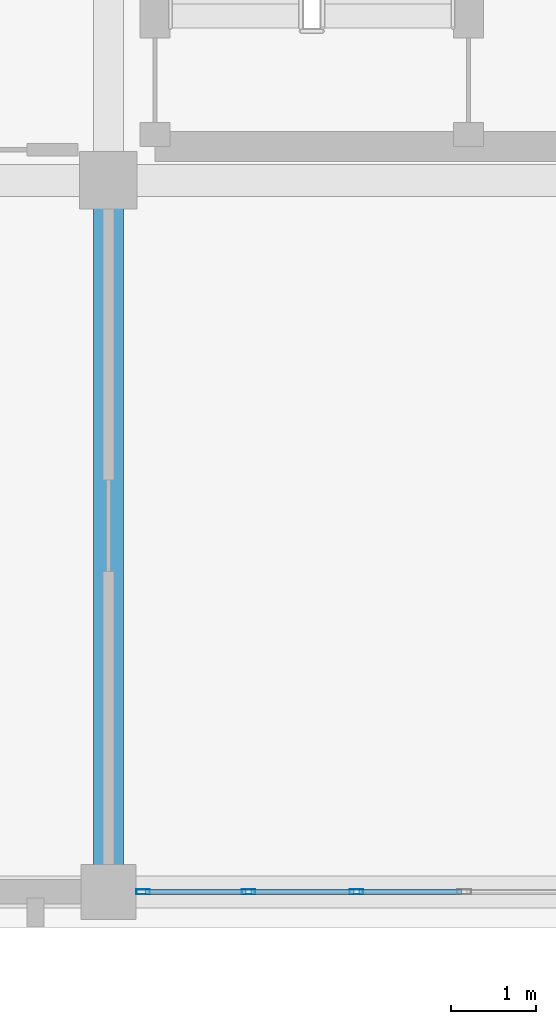
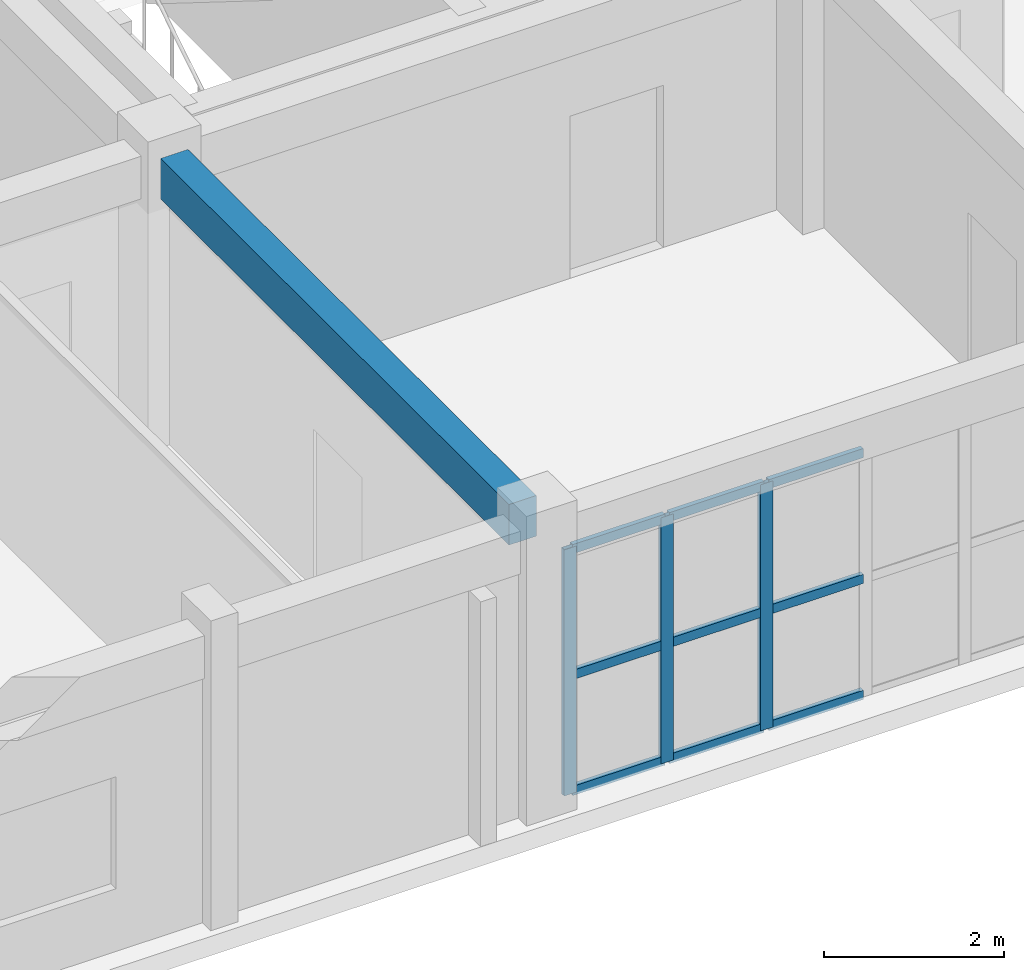
# One storey, part 21 of 90: 12 members, 1 beam, 1 element without a shape of its own.
"""IFC4 building model written with IfcOpenShell, lengths in metres."""

import ifcopenshell
import ifcopenshell.guid

model = None  # the IFC model being written
_history = None  # IfcOwnerHistory: only IFC2X3 demands one
_inside = {}  # id of a spatial element -> (the spatial element, [elements in it])
_under = {}  # id of a project, library or spatial element -> (it, [spatial elements below it])
_declared = {}  # id of a project -> (the project, [libraries it declares])
_typed = {}  # id of a type object -> (the type object, [elements of that type])
_made_of = {}  # id of a material, layer set ... -> (it, [elements and type objects made of it])


def new_model(schema):
    """Start an empty IFC model of exactly this schema.

    Asked for "IFC4X3", IfcOpenShell would pick the latest addendum, in which some entities
    have other attributes; the version numbers below select the first issue.
    IFC2X3 requires an IfcOwnerHistory on every rooted entity: one is made here for all.
    """
    global model, _history
    if schema == "IFC4X3":
        model = ifcopenshell.file(schema_version=(4, 3, 0, 0))
    else:
        model = ifcopenshell.file(schema=schema)
    _inside.clear()
    _under.clear()
    _declared.clear()
    _typed.clear()
    _made_of.clear()
    _history = None
    if model.schema == "IFC2X3":
        org = make("IfcOrganization", Name="unknown")
        user = make(
            "IfcPersonAndOrganization",
            ThePerson=make("IfcPerson", FamilyName="unknown"),
            TheOrganization=org,
        )
        app = make(
            "IfcApplication",
            ApplicationDeveloper=org,
            Version="unknown",
            ApplicationFullName="unknown",
            ApplicationIdentifier="unknown",
        )
        _history = make(
            "IfcOwnerHistory",
            OwningUser=user,
            OwningApplication=app,
            ChangeAction="ADDED",
            CreationDate=0,
        )
    return model


def make(cls, **values):
    """One entity of the class cls with the attributes given. An attribute that is None is left unset."""
    return model.create_entity(
        cls, **{name: value for name, value in values.items() if value is not None}
    )


def rooted(cls, **values):
    """An entity with a GlobalId (a new one), such as an element, a storey or a relation."""
    return make(cls, GlobalId=ifcopenshell.guid.new(), OwnerHistory=_history, **values)


def si_unit(unit_type, name, prefix=None):
    """IfcSIUnit, for example si_unit("LENGTHUNIT", "METRE", prefix="MILLI")."""
    return make("IfcSIUnit", UnitType=unit_type, Prefix=prefix, Name=name)


def assignment(units):
    """IfcUnitAssignment: the units of a project."""
    return None if units is None else make("IfcUnitAssignment", Units=units)


def point(xyz):
    """IfcCartesianPoint."""
    return None if xyz is None else make("IfcCartesianPoint", Coordinates=xyz)


def direction(xyz):
    """IfcDirection."""
    return None if xyz is None else make("IfcDirection", DirectionRatios=xyz)


def frame(location, z_axis=None, x_axis=None):
    """IfcAxis2Placement3D, a coordinate frame: its origin and axes. An axis left out is left unset."""
    return make(
        "IfcAxis2Placement3D",
        Location=point(location),
        Axis=direction(z_axis),
        RefDirection=direction(x_axis),
    )


def frame_2d(location, x_axis=None):
    """IfcAxis2Placement2D, a coordinate frame in the plane: its origin and x axis."""
    return make(
        "IfcAxis2Placement2D", Location=point(location), RefDirection=direction(x_axis)
    )


def origin():
    """The frame at (0, 0, 0) with its axes left unset."""
    return frame((0.0, 0.0, 0.0))


def origin_2d():
    """The frame at (0, 0) in the plane with its x axis left unset."""
    return frame_2d((0.0, 0.0))


def place(relative_to, where):
    """IfcLocalPlacement: puts the frame where relative to a parent placement (None: the world)."""
    return make(
        "IfcLocalPlacement", PlacementRelTo=relative_to, RelativePlacement=where
    )


def context(
    kind, dimensions, precision=None, world=None, true_north=None, identifier=None
):
    """IfcGeometricRepresentationContext, for example the 3D "Model" context."""
    return make(
        "IfcGeometricRepresentationContext",
        ContextIdentifier=identifier,
        ContextType=kind,
        CoordinateSpaceDimension=dimensions,
        Precision=precision,
        WorldCoordinateSystem=world,
        TrueNorth=true_north,
    )


def subcontext(parent, identifier, kind, view, scale=None):
    """IfcGeometricRepresentationSubContext, for example "Body" below "Model"."""
    return make(
        "IfcGeometricRepresentationSubContext",
        ContextIdentifier=identifier,
        ContextType=kind,
        ParentContext=parent,
        TargetScale=scale,
        TargetView=view,
    )


def project(units=None, contexts=None):
    """IfcProject with its units and contexts."""
    return rooted(
        "IfcProject",
        Name="project",
        RepresentationContexts=contexts,
        UnitsInContext=assignment(units),
    )


def spatial(cls, under=None, at=None, **own):
    """A site, building, storey or space (cls), placed at a placement, below another one or the project."""
    s = rooted(cls, ObjectPlacement=at, **own)
    if under is not None:
        _under.setdefault(under.id(), (under, []))[1].append(s)
    return s


def profile(cls, at=None, kind="AREA", **sizes):
    """A parametric profile (cls). Its sizes go by their IFC names, for example OverallWidth=200.0."""
    return make(cls, ProfileType=kind, Position=at, **sizes)


def rectangle(**sizes):
    """IfcRectangleProfileDef."""
    return profile("IfcRectangleProfileDef", **sizes)


def hollow_rectangle(**sizes):
    """IfcRectangleHollowProfileDef."""
    return profile("IfcRectangleHollowProfileDef", **sizes)


def extrude(swept, where, along, depth):
    """IfcExtrudedAreaSolid: the profile swept, set in the frame where, extruded along a direction by depth."""
    return make(
        "IfcExtrudedAreaSolid",
        SweptArea=swept,
        Position=where,
        ExtrudedDirection=direction(along),
        Depth=depth,
    )


def shape(context_of_items, identifier, shape_type, items):
    """IfcShapeRepresentation: the items that make up one representation, for example the "Body"."""
    return make(
        "IfcShapeRepresentation",
        ContextOfItems=context_of_items,
        RepresentationIdentifier=identifier,
        RepresentationType=shape_type,
        Items=items,
    )


def material(Name=None, Category=None):
    """IfcMaterial."""
    return make("IfcMaterial", Name=Name, Category=Category)


def layer(
    of_material, thickness, ventilated=None, Name=None, Category=None, Priority=None
):
    """IfcMaterialLayer: one layer of a wall or slab, of a material (None: an air gap)."""
    return make(
        "IfcMaterialLayer",
        Material=of_material,
        LayerThickness=thickness,
        IsVentilated=ventilated,
        Name=Name,
        Category=Category,
        Priority=Priority,
    )


def layer_set(layers, Name=None):
    """IfcMaterialLayerSet."""
    return make("IfcMaterialLayerSet", MaterialLayers=layers, LayerSetName=Name)


def material_profile(
    of_material, cross_section, Name=None, Category=None, Priority=None
):
    """IfcMaterialProfile: a cross section and its material."""
    return make(
        "IfcMaterialProfile",
        Name=Name,
        Material=of_material,
        Profile=cross_section,
        Priority=Priority,
        Category=Category,
    )


def profile_set(profiles, Name=None, composite=None):
    """IfcMaterialProfileSet."""
    return make(
        "IfcMaterialProfileSet",
        Name=Name,
        MaterialProfiles=profiles,
        CompositeProfile=composite,
    )


def made_of(thing, what):
    """Note that an element or type object is made of a material, layer set ...; save() writes the relation."""
    if what is not None:
        _made_of.setdefault(what.id(), (what, []))[1].append(thing)
    return thing


def type_object(cls, material=None, **own):
    """A type object (cls), such as IfcWallType, which elements share."""
    return made_of(rooted(cls, **own), material)


def element(
    cls,
    number,
    at=None,
    inside=None,
    cuts=None,
    type_object=None,
    material=None,
    context=None,
    identifier="Body",
    shape_type=None,
    held_by="IfcProductDefinitionShape",
    body=None,
    shapes=None,
    **own,
):
    """One element of the class cls, such as IfcWall. Its Tag is "e" and its number.

    at: its placement. inside: the storey or other place that contains it. cuts: it is an
    opening in that element (IfcRelVoidsElement). A single representation is given by context,
    identifier, shape_type and body (its items); several are given by shapes. held_by: the class
    of the entity that holds the representations. save() writes the other relations.
    """
    e = rooted(cls, Tag="e%d" % number, ObjectPlacement=at, **own)
    if body is not None:
        shapes = [shape(context, identifier, shape_type, body)]
    if shapes is not None:
        e.Representation = make(held_by, Representations=shapes)
    if inside is not None:
        _inside.setdefault(inside.id(), (inside, []))[1].append(e)
    if cuts is not None:
        rooted(
            "IfcRelVoidsElement", RelatingBuildingElement=cuts, RelatedOpeningElement=e
        )
    if type_object is not None:
        _typed.setdefault(type_object.id(), (type_object, []))[1].append(e)
    return made_of(e, material)


def aggregate(whole, parts):
    """IfcRelAggregates: a whole, such as a stair, and the parts it consists of."""
    return rooted("IfcRelAggregates", RelatingObject=whole, RelatedObjects=parts)


def save(model, path):
    """Write the relations noted so far, then the file.

    IfcRelAggregates (storeys below a building ...), IfcRelContainedInSpatialStructure (elements
    in a storey), IfcRelDefinesByType, IfcRelAssociatesMaterial and IfcRelDeclares: one each for
    every whole, place, type object, material and project.
    """
    for whole, parts in _under.values():
        aggregate(whole, parts)
    for where, things in _inside.values():
        rooted(
            "IfcRelContainedInSpatialStructure",
            RelatedElements=things,
            RelatingStructure=where,
        )
    for kind, things in _typed.values():
        rooted("IfcRelDefinesByType", RelatedObjects=things, RelatingType=kind)
    for what, things in _made_of.values():
        rooted("IfcRelAssociatesMaterial", RelatedObjects=things, RelatingMaterial=what)
    for by, libraries in _declared.values():
        rooted("IfcRelDeclares", RelatingContext=by, RelatedDefinitions=libraries)
    model.write(path)


model = new_model("IFC4")

# Units and contexts
model_context = context("Model", 3, precision=1e-05, world=origin(), true_north=direction((0.0, 1.0)))
body_context = subcontext(model_context, "Body", "Model", "MODEL_VIEW")
ifc_project = project(units=[si_unit("LENGTHUNIT", "METRE"), si_unit("AREAUNIT", "SQUARE_METRE"), si_unit("VOLUMEUNIT", "CUBIC_METRE"), si_unit("PLANEANGLEUNIT", "RADIAN"), si_unit("MASSUNIT", "GRAM", prefix="KILO")], contexts=[model_context])

# Site, building, storey
site_placement = place(None, origin())
site = spatial("IfcSite", under=ifc_project, at=site_placement, CompositionType="ELEMENT")
building_placement = place(site_placement, origin())
building = spatial("IfcBuilding", under=site, at=building_placement, Name="Trelvath General Hospital", CompositionType="ELEMENT")
storey_placement = place(building_placement, frame((0.0, 0.0, 20.39990234375)))
storey = spatial("IfcBuildingStorey", under=building, at=storey_placement, Name="L05", CompositionType="ELEMENT", Elevation=20.39990234375)

# Beam
ifc_material_1 = material(Name="Concrete C35/45", Category="concrete")
ifc_material_profile_1 = material_profile(ifc_material_1, rectangle(XDim=0.35009765625, YDim=0.550048828125, at=origin_2d()), Name="RCB350x550")
ifc_profile_set_1 = profile_set([ifc_material_profile_1], Name="Concrete C35/45")
beam_type = type_object("IfcBeamType", Name="Beam RC350x550", PredefinedType="BEAM", material=ifc_profile_set_1)
beam_placement = place(storey_placement, frame((92.39990234375, 0.320068359375, 3.64501953125), z_axis=(0.0, 1.0, 0.0), x_axis=(-1.0, 0.0, 0.0)))
element("IfcBeam", 1, at=beam_placement, inside=storey, type_object=beam_type, Name="Grid Beam BY-511A", PredefinedType="BEAM", context=body_context, shape_type="SweptSolid", body=[
    extrude(rectangle(XDim=0.35009765625, YDim=0.550048828125, at=origin_2d()), origin(), (0.0, 0.0, 1.0), 7.744873046875),
])

# Curtain wall, members
ifc_material_2 = material(Name="Anodised aluminium and low-E glass", Category="aluminium")
ifc_layer = layer(ifc_material_2, 0.14990234375)
ifc_layer_set = layer_set([ifc_layer], Name="Anodised aluminium and low-E glass")
curtain_wall_type = type_object("IfcCurtainWallType", Name="CW Facade 764 334 15", PredefinedType="USERDEFINED", material=ifc_layer_set)
curtain_wall_placement = place(storey_placement, origin())
curtain_wall = element("IfcCurtainWall", 2, at=curtain_wall_placement, inside=storey, type_object=curtain_wall_type, Name="Facade Curtain Wall CW-074", ObjectType="Unitised Glazed Curtain Wall", PredefinedType="USERDEFINED")
ifc_material_3 = material(Name="Anodised aluminium", Category="aluminium")
ifc_material_profile_2 = material_profile(ifc_material_3, hollow_rectangle(XDim=0.06005859375, YDim=0.159912109375, WallThickness=0.00390625, at=origin_2d()), Name="RHS60x160x4")
ifc_profile_set_2 = profile_set([ifc_material_profile_2], Name="Anodised aluminium")
member_type_1 = type_object("IfcMemberType", Name="CurtainMullion 60x160", PredefinedType="MULLION", material=ifc_profile_set_2)
member_1_placement = place(storey_placement, frame((95.32666015625, 0.0, 0.0), z_axis=(0.0, 0.0, 1.0), x_axis=(0.0, -1.0, 0.0)))
member_1 = element("IfcMember", 3, at=member_1_placement, type_object=member_type_1, Name="CW-074 mullion 5", PredefinedType="MULLION", context=body_context, shape_type="SweptSolid", body=[
    extrude(hollow_rectangle(XDim=0.06005859375, YDim=0.159912109375, WallThickness=0.00390625, at=origin_2d()), origin(), (0.0, 0.0, 1.0), 3.340087890625),
])
member_2_placement = place(storey_placement, frame((94.05322265625, 0.0, 0.0), z_axis=(0.0, 0.0, 1.0), x_axis=(0.0, -1.0, 0.0)))
member_2 = element("IfcMember", 4, at=member_2_placement, type_object=member_type_1, Name="CW-074 mullion 6", PredefinedType="MULLION", context=body_context, shape_type="SweptSolid", body=[
    extrude(hollow_rectangle(XDim=0.06005859375, YDim=0.159912109375, WallThickness=0.00390625, at=origin_2d()), origin(), (0.0, 0.0, 1.0), 3.340087890625),
])
member_3_placement = place(storey_placement, frame((92.81005859375, 0.0, 0.0), z_axis=(0.0, 0.0, 1.0), x_axis=(0.0, -1.0, 0.0)))
member_3 = element("IfcMember", 5, at=member_3_placement, type_object=member_type_1, Name="CW-074 mullion 7", PredefinedType="MULLION", context=body_context, shape_type="SweptSolid", body=[
    extrude(hollow_rectangle(XDim=0.06005859375, YDim=0.159912109375, WallThickness=0.00390625, at=origin_2d()), origin(), (0.0, 0.0, 1.0), 3.340087890625),
])
ifc_material_4 = material(Name="Anodised aluminium", Category="aluminium")
ifc_material_profile_3 = material_profile(ifc_material_4, hollow_rectangle(XDim=0.06005859375, YDim=0.125, WallThickness=0.00390625, at=origin_2d()), Name="RHS60x125x4")
ifc_profile_set_3 = profile_set([ifc_material_profile_3], Name="Anodised aluminium")
member_type_2 = type_object("IfcMemberType", Name="CurtainTransom 60x125", PredefinedType="USERDEFINED", material=ifc_profile_set_3)
member_4_placement = place(storey_placement, frame((96.570068359375, 0.0, 0.030029296875), z_axis=(-1.0, 0.0, 0.0), x_axis=(0.0, -1.0, 0.0)))
member_4 = element("IfcMember", 6, at=member_4_placement, type_object=member_type_2, Name="CW-074 transom 4.1", ObjectType="TRANSOM", PredefinedType="USERDEFINED", context=body_context, shape_type="SweptSolid", body=[
    extrude(hollow_rectangle(XDim=0.06005859375, YDim=0.125, WallThickness=0.00390625, at=origin_2d()), origin(), (0.0, 0.0, 1.0), 1.21337890625),
])
member_5_placement = place(storey_placement, frame((96.570068359375, 0.0, 1.60302734375), z_axis=(-1.0, 0.0, 0.0), x_axis=(0.0, -1.0, 0.0)))
member_5 = element("IfcMember", 7, at=member_5_placement, type_object=member_type_2, Name="CW-074 transom 4.2", ObjectType="TRANSOM", PredefinedType="USERDEFINED", context=body_context, shape_type="SweptSolid", body=[
    extrude(hollow_rectangle(XDim=0.06005859375, YDim=0.125, WallThickness=0.00390625, at=origin_2d()), origin(), (0.0, 0.0, 1.0), 1.21337890625),
])
member_6_placement = place(storey_placement, frame((96.570068359375, 0.0, 3.31005859375), z_axis=(-1.0, 0.0, 0.0), x_axis=(0.0, -1.0, 0.0)))
member_6 = element("IfcMember", 8, at=member_6_placement, type_object=member_type_2, Name="CW-074 transom 4.3", ObjectType="TRANSOM", PredefinedType="USERDEFINED", context=body_context, shape_type="SweptSolid", body=[
    extrude(hollow_rectangle(XDim=0.06005859375, YDim=0.125, WallThickness=0.00390625, at=origin_2d()), origin(), (0.0, 0.0, 1.0), 1.21337890625),
])
member_7_placement = place(storey_placement, frame((95.296630859375, 0.0, 0.030029296875), z_axis=(-1.0, 0.0, 0.0), x_axis=(0.0, -1.0, 0.0)))
member_7 = element("IfcMember", 9, at=member_7_placement, type_object=member_type_2, Name="CW-074 transom 5.1", ObjectType="TRANSOM", PredefinedType="USERDEFINED", context=body_context, shape_type="SweptSolid", body=[
    extrude(hollow_rectangle(XDim=0.06005859375, YDim=0.125, WallThickness=0.00390625, at=origin_2d()), origin(), (0.0, 0.0, 1.0), 1.21337890625),
])
member_8_placement = place(storey_placement, frame((95.296630859375, 0.0, 1.60302734375), z_axis=(-1.0, 0.0, 0.0), x_axis=(0.0, -1.0, 0.0)))
member_8 = element("IfcMember", 10, at=member_8_placement, type_object=member_type_2, Name="CW-074 transom 5.2", ObjectType="TRANSOM", PredefinedType="USERDEFINED", context=body_context, shape_type="SweptSolid", body=[
    extrude(hollow_rectangle(XDim=0.06005859375, YDim=0.125, WallThickness=0.00390625, at=origin_2d()), origin(), (0.0, 0.0, 1.0), 1.21337890625),
])
member_9_placement = place(storey_placement, frame((95.296630859375, 0.0, 3.31005859375), z_axis=(-1.0, 0.0, 0.0), x_axis=(0.0, -1.0, 0.0)))
member_9 = element("IfcMember", 11, at=member_9_placement, type_object=member_type_2, Name="CW-074 transom 5.3", ObjectType="TRANSOM", PredefinedType="USERDEFINED", context=body_context, shape_type="SweptSolid", body=[
    extrude(hollow_rectangle(XDim=0.06005859375, YDim=0.125, WallThickness=0.00390625, at=origin_2d()), origin(), (0.0, 0.0, 1.0), 1.21337890625),
])
member_10_placement = place(storey_placement, frame((94.0234375, 0.0, 0.030029296875), z_axis=(-1.0, 0.0, 0.0), x_axis=(0.0, -1.0, 0.0)))
member_10 = element("IfcMember", 12, at=member_10_placement, type_object=member_type_2, Name="CW-074 transom 6.1", ObjectType="TRANSOM", PredefinedType="USERDEFINED", context=body_context, shape_type="SweptSolid", body=[
    extrude(hollow_rectangle(XDim=0.06005859375, YDim=0.125, WallThickness=0.00390625, at=origin_2d()), origin(), (0.0, 0.0, 1.0), 1.183349609375),
])
member_11_placement = place(storey_placement, frame((94.0234375, 0.0, 1.60302734375), z_axis=(-1.0, 0.0, 0.0), x_axis=(0.0, -1.0, 0.0)))
member_11 = element("IfcMember", 13, at=member_11_placement, type_object=member_type_2, Name="CW-074 transom 6.2", ObjectType="TRANSOM", PredefinedType="USERDEFINED", context=body_context, shape_type="SweptSolid", body=[
    extrude(hollow_rectangle(XDim=0.06005859375, YDim=0.125, WallThickness=0.00390625, at=origin_2d()), origin(), (0.0, 0.0, 1.0), 1.183349609375),
])
member_12_placement = place(storey_placement, frame((94.0234375, 0.0, 3.31005859375), z_axis=(-1.0, 0.0, 0.0), x_axis=(0.0, -1.0, 0.0)))
member_12 = element("IfcMember", 14, at=member_12_placement, type_object=member_type_2, Name="CW-074 transom 6.3", ObjectType="TRANSOM", PredefinedType="USERDEFINED", context=body_context, shape_type="SweptSolid", body=[
    extrude(hollow_rectangle(XDim=0.06005859375, YDim=0.125, WallThickness=0.00390625, at=origin_2d()), origin(), (0.0, 0.0, 1.0), 1.183349609375),
])
aggregate(curtain_wall, [member_1, member_2, member_3, member_4, member_5, member_6, member_7, member_8, member_9, member_10, member_11, member_12])

save(model, "model.ifc")
